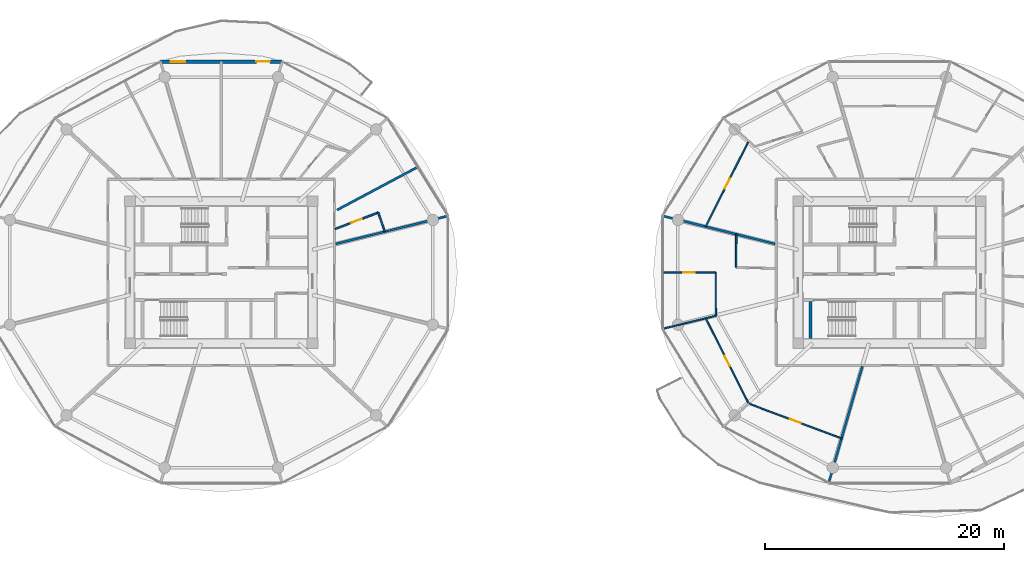
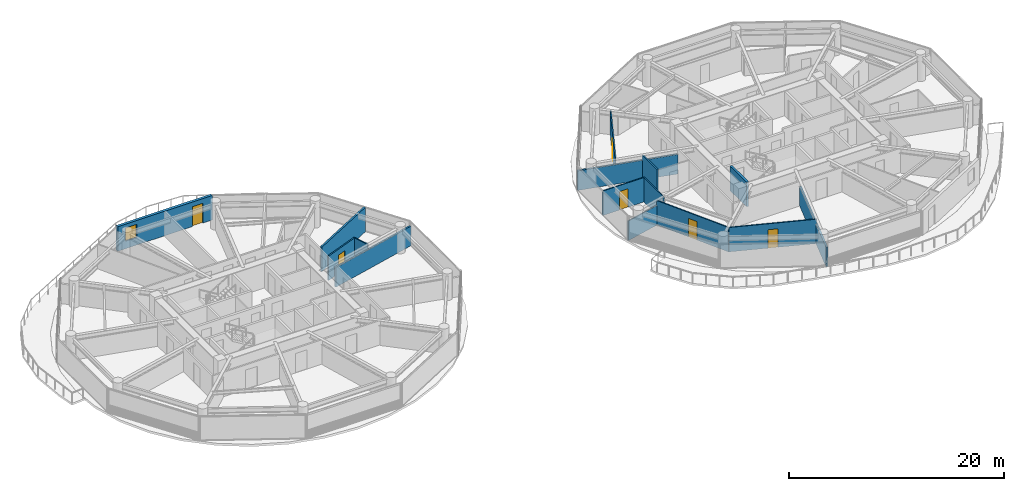
# One storey, part 17 of 26: 15 walls, 6 doors, 1 window, 7 openings.
"""IFC4 building model written with IfcOpenShell, lengths in metres."""

from ifc_helpers import new_model, si_unit, direction, frame, frame_2d, origin, place, context, subcontext, project, spatial, rectangle, extrude, source, transform, mapped, material, layer, layer_set, type_object, type_shapes, element, fill, save


model = new_model("IFC4")

# Units and contexts
model_context = context("Model", 3, precision=1e-05, world=origin(), true_north=direction((0.0, 1.0)))
body_context = subcontext(model_context, "Body", "Model", "MODEL_VIEW")
ifc_project = project(units=[si_unit("LENGTHUNIT", "METRE"), si_unit("AREAUNIT", "SQUARE_METRE"), si_unit("VOLUMEUNIT", "CUBIC_METRE"), si_unit("PLANEANGLEUNIT", "RADIAN"), si_unit("MASSUNIT", "GRAM", prefix="KILO")], contexts=[model_context])

# Site, building, storey
site_placement = place(None, origin())
site = spatial("IfcSite", under=ifc_project, at=site_placement, CompositionType="ELEMENT")
building_placement = place(site_placement, origin())
building = spatial("IfcBuilding", under=site, at=building_placement, Name="Norrkilde Senior Care Towers", CompositionType="ELEMENT")
storey_placement = place(building_placement, frame((0.0, 0.0, 24.64990234375)))
storey = spatial("IfcBuildingStorey", under=building, at=storey_placement, Name="L06", CompositionType="ELEMENT", Elevation=24.64990234375)

# Wall, openings, door, window
ifc_material_1 = material(Name="Precast concrete C45/55", Category="concrete")
ifc_layer_1 = layer(ifc_material_1, 0.2900390625)
ifc_layer_set_1 = layer_set([ifc_layer_1], Name="Precast concrete C45/55")
wall_type_1 = type_object("IfcWallType", Name="Winter Garden Facade Wall 290", PredefinedType="SOLIDWALL", material=ifc_layer_set_1)
shared_shape_1 = source(origin(), body_context, "Body", "SweptSolid", [
    extrude(rectangle(XDim=10.18701171875, YDim=0.2900390625, at=frame_2d((5.093505859375, 0.0))), origin(), (0.0, 0.0, 1.0), 2.7900390625),
])
type_shapes(wall_type_1, [shared_shape_1])
wall_1_placement = place(storey_placement, frame((-33.093505859375, 17.6572265625, 0.0), z_axis=(0.0, 0.0, 1.0), x_axis=(1.0, 0.0, 0.0)))
wall_1 = element("IfcWall", 1, at=wall_1_placement, inside=storey, type_object=wall_type_1, Name="L06 Drum W Balcony Access Wall 02", PredefinedType="SOLIDWALL", context=body_context, shape_type="MappedRepresentation", body=[
    mapped(shared_shape_1, transform((0.0, 0.0, 0.0), x_axis=(1.0, 0.0, 0.0), y_axis=(0.0, 1.0, 0.0), z_axis=(0.0, 0.0, 1.0), scale=1.0)),
])
opening_1_placement = place(wall_1_placement, frame((8.02001953125, 0.0, 0.0)))
opening_1 = element("IfcOpeningElement", 2, at=opening_1_placement, cuts=wall_1, Name="Opening D-09", PredefinedType="OPENING", context=body_context, shape_type="SweptSolid", body=[
    extrude(rectangle(XDim=1.14990234375, YDim=2.25, at=frame_2d((0.574951171875, 1.125))), frame((0.0, 0.155029296875, 0.0), z_axis=(0.0, -1.0, 0.0), x_axis=(1.0, 0.0, 0.0)), (0.0, 0.0, 1.0), 0.31005859375),
])
opening_2_placement = place(wall_1_placement, frame((0.85009765625, 0.0, 0.85009765625)))
opening_2 = element("IfcOpeningElement", 3, at=opening_2_placement, cuts=wall_1, Name="Opening WN-07", PredefinedType="OPENING", context=body_context, shape_type="SweptSolid", body=[
    extrude(rectangle(XDim=1.199951171875, YDim=1.5, at=frame_2d((0.60009765625, 0.75))), frame((0.0, 0.155029296875, 0.0), z_axis=(0.0, -1.0, 0.0), x_axis=(1.0, 0.0, 0.0)), (0.0, 0.0, 1.0), 0.31005859375),
])
ifc_material_2 = material(Name="Anodised Aluminium", Category="aluminium")
door_type_1 = type_object("IfcDoorType", Name="Terrace and Balcony Glazed Door 1150x2250", OperationType="NOTDEFINED", PredefinedType="DOOR", material=ifc_material_2)
shared_shape_2 = source(origin(), body_context, "Body", "SweptSolid", [
    extrude(rectangle(XDim=1.14990234375, YDim=2.25, at=frame_2d((0.574951171875, 1.125))), frame((0.0, 0.02490234375, 0.0), z_axis=(0.0, -1.0, 0.0), x_axis=(1.0, 0.0, 0.0)), (0.0, 0.0, 1.0), 0.050048828125),
])
type_shapes(door_type_1, [shared_shape_2])
door_1_placement = place(opening_1_placement, origin())
door_1 = element("IfcDoor", 4, at=door_1_placement, inside=storey, type_object=door_type_1, Name="L06 Drum W Outdoor Terrace Door 02", OperationType="SINGLE_SWING_LEFT", OverallHeight=2.25, OverallWidth=1.14990234375, PredefinedType="DOOR", context=body_context, shape_type="MappedRepresentation", body=[
    mapped(shared_shape_2, transform((0.0, 0.0, 0.0), x_axis=(1.0, 0.0, 0.0), y_axis=(0.0, 1.0, 0.0), z_axis=(0.0, 0.0, 1.0), scale=1.0)),
])
fill(opening_1, door_1)
ifc_material_3 = material(Name="Triple Low-E Insulated Glazing", Category="glass")
window_type = type_object("IfcWindowType", Name="Stairwell Smoke Vent Window 1200x1500", PartitioningType="SINGLE_PANEL", PredefinedType="WINDOW", material=ifc_material_3)
shared_shape_3 = source(origin(), body_context, "Body", "SweptSolid", [
    extrude(rectangle(XDim=1.199951171875, YDim=1.5, at=frame_2d((0.60009765625, 0.75))), frame((0.0, 0.030029296875, 0.0), z_axis=(0.0, -1.0, 0.0), x_axis=(1.0, 0.0, 0.0)), (0.0, 0.0, 1.0), 0.06005859375),
])
type_shapes(window_type, [shared_shape_3])
window_placement = place(opening_2_placement, origin())
window = element("IfcWindow", 5, at=window_placement, inside=storey, type_object=window_type, Name="L06 Drum W Winter Garden Window 02", OverallHeight=1.5, OverallWidth=1.199951171875, PartitioningType="SINGLE_PANEL", PredefinedType="WINDOW", context=body_context, shape_type="MappedRepresentation", body=[
    mapped(shared_shape_3, transform((0.0, 0.0, 0.0), x_axis=(1.0, 0.0, 0.0), y_axis=(0.0, 1.0, 0.0), z_axis=(0.0, 0.0, 1.0), scale=1.0)),
])
fill(opening_2, window)

# Walls
ifc_material_4 = material(Name="Concrete C45/55", Category="concrete")
ifc_layer_2 = layer(ifc_material_4, 0.239990234375)
ifc_layer_set_2 = layer_set([ifc_layer_2], Name="Concrete C45/55")
wall_type_2 = type_object("IfcWallType", Name="Shaft and Stair Enclosure Wall 240", PredefinedType="PARTITIONING", material=ifc_layer_set_2)
shared_shape_4 = source(origin(), body_context, "Body", "SweptSolid", [
    extrude(rectangle(XDim=3.074951171875, YDim=0.239990234375, at=frame_2d((1.53759765625, 0.0))), origin(), (0.0, 0.0, 1.0), 2.7900390625),
])
type_shapes(wall_type_2, [shared_shape_4])
wall_2_placement = place(storey_placement, frame((21.3798828125, -5.52490234375, 0.0), z_axis=(0.0, 0.0, 1.0), x_axis=(0.0, 1.0, 0.0)))
element("IfcWall", 6, at=wall_2_placement, inside=storey, type_object=wall_type_2, Name="WL-INT-L06-E-ST2W", PredefinedType="PARTITIONING", context=body_context, shape_type="MappedRepresentation", body=[
    mapped(shared_shape_4, transform((0.0, 0.0, 0.0), x_axis=(1.0, 0.0, 0.0), y_axis=(0.0, 1.0, 0.0), z_axis=(0.0, 0.0, 1.0), scale=1.0)),
])
ifc_material_5 = material(Name="Gypsum Acoustic Board")
ifc_layer_3 = layer(ifc_material_5, 0.18994140625)
ifc_layer_set_3 = layer_set([ifc_layer_3], Name="Gypsum Acoustic Board")
wall_type_3 = type_object("IfcWallType", Name="Unit Demising Acoustic Wall 190", PredefinedType="PARTITIONING", material=ifc_layer_set_3)
shared_shape_5 = source(origin(), body_context, "Body", "SweptSolid", [
    extrude(rectangle(XDim=10.196044921875, YDim=0.18994140625, at=frame_2d((5.09814453125, 0.0))), origin(), (0.0, 0.0, 1.0), 2.22509765625),
])
wall_3_placement = place(storey_placement, frame((25.72705078125, -7.8798828125, 0.0), z_axis=(0.0, 0.0, 1.0), x_axis=(-0.277136420347, -0.960830580549, 0.0)))
element("IfcWall", 7, at=wall_3_placement, inside=storey, type_object=wall_type_3, Name="WL-INT-L06-E-DEM-08-0", PredefinedType="PARTITIONING", context=body_context, shape_type="MappedRepresentation", body=[
    mapped(shared_shape_5, transform((0.0, 0.0, 0.0), x_axis=(1.0, 0.0, 0.0), y_axis=(0.0, 1.0, 0.0), z_axis=(0.0, 0.0, 1.0), scale=1.0)),
])
shared_shape_6 = source(origin(), body_context, "Body", "SweptSolid", [
    extrude(rectangle(XDim=9.737060546875, YDim=0.18994140625, at=frame_2d((4.86865234375, 0.0))), origin(), (0.0, 0.0, 1.0), 2.22509765625),
])
for number, where, z_axis, x_axis, name in (
    (8, (-18.419921875, 2.384521484375, 0.0), (0.0, 0.0, 1.0), (0.970392716238, 0.241532557375, 0.0), "WL-INT-L06-W-DEM-00-0"),
    (9, (18.419921875, 2.384521484375, 0.0), (0.0, 0.0, 1.0), (-0.970392716238, 0.241532557375, 0.0), "WL-INT-L06-E-DEM-05-0"),
):
    element("IfcWall", number, at=place(storey_placement, frame(where, z_axis=z_axis, x_axis=x_axis)), inside=storey, type_object=wall_type_3, Name=name, PredefinedType="PARTITIONING", context=body_context, shape_type="MappedRepresentation", body=[
        mapped(shared_shape_6, transform((0.0, 0.0, 0.0), x_axis=(1.0, 0.0, 0.0), y_axis=(0.0, 1.0, 0.0), z_axis=(0.0, 0.0, 1.0), scale=1.0)),
    ])
shared_shape_7 = source(origin(), body_context, "Body", "SweptSolid", [
    extrude(rectangle(XDim=7.6767578125, YDim=0.18994140625, at=frame_2d((3.83837890625, 0.0))), origin(), (0.0, 0.0, 1.0), 2.775146484375),
])
type_shapes(wall_type_3, [shared_shape_5, shared_shape_6, shared_shape_7])
wall_4_placement = place(storey_placement, frame((-18.296875, 5.23095703125, 0.0), z_axis=(0.0, 0.0, 1.0), x_axis=(0.882725057546, 0.469889851753, 0.0)))
element("IfcWall", 10, at=wall_4_placement, inside=storey, type_object=wall_type_3, Name="WL-INT-L06-W-CMID-00", PredefinedType="PARTITIONING", context=body_context, shape_type="MappedRepresentation", body=[
    mapped(shared_shape_7, transform((0.0, 0.0, 0.0), x_axis=(1.0, 0.0, 0.0), y_axis=(0.0, 1.0, 0.0), z_axis=(0.0, 0.0, 1.0), scale=1.0)),
])

# Wall, opening, door
ifc_layer_4 = layer(ifc_material_5, 0.139892578125)
ifc_layer_set_4 = layer_set([ifc_layer_4], Name="Gypsum Acoustic Board")
wall_type_4 = type_object("IfcWallType", Name="En-suite Wet Room Wall 140", PredefinedType="PARTITIONING", material=ifc_layer_set_4)
shared_shape_8 = source(origin(), body_context, "Body", "SweptSolid", [
    extrude(rectangle(XDim=3.8740234375, YDim=0.139892578125, at=frame_2d((1.93701171875, 0.0))), origin(), (0.0, 0.0, 1.0), 2.775146484375),
])
wall_5_placement = place(storey_placement, frame((-18.469970703125, 3.631591796875, 0.0), z_axis=(0.0, 0.0, 1.0), x_axis=(0.934461775659, 0.35606346321, 0.0)))
wall_5 = element("IfcWall", 11, at=wall_5_placement, inside=storey, type_object=wall_type_4, Name="WL-INT-L06-W-ES-00A", PredefinedType="PARTITIONING", context=body_context, shape_type="MappedRepresentation", body=[
    mapped(shared_shape_8, transform((0.0, 0.0, 0.0), x_axis=(1.0, 0.0, 0.0), y_axis=(0.0, 1.0, 0.0), z_axis=(0.0, 0.0, 1.0), scale=1.0)),
])
opening_3_placement = place(wall_5_placement, frame((1.47705078125, 0.0, 0.0)))
opening_3 = element("IfcOpeningElement", 12, at=opening_3_placement, cuts=wall_5, Name="Opening D-08", PredefinedType="OPENING", context=body_context, shape_type="SweptSolid", body=[
    extrude(rectangle(XDim=0.919921875, YDim=2.10009765625, at=frame_2d((0.4599609375, 1.050048828125))), frame((0.0, 0.079833984375, 0.0), z_axis=(0.0, -1.0, 0.0), x_axis=(1.0, 0.0, 0.0)), (0.0, 0.0, 1.0), 0.159912109375),
])
ifc_material_6 = material(Name="Nordic Ash Timber", Category="wood")
door_type_2 = type_object("IfcDoorType", Name="Accessible Wet Room Door 920x2100", OperationType="NOTDEFINED", PredefinedType="DOOR", material=ifc_material_6)
shared_shape_9 = source(origin(), body_context, "Body", "SweptSolid", [
    extrude(rectangle(XDim=0.919921875, YDim=2.10009765625, at=frame_2d((0.4599609375, 1.050048828125))), frame((0.0, 0.02490234375, 0.0), z_axis=(0.0, -1.0, 0.0), x_axis=(1.0, 0.0, 0.0)), (0.0, 0.0, 1.0), 0.050048828125),
])
type_shapes(door_type_2, [shared_shape_9])
door_2_placement = place(opening_3_placement, origin())
door_2 = element("IfcDoor", 13, at=door_2_placement, inside=storey, type_object=door_type_2, Name="L06 Care Suite 0600A Bathroom Door", OperationType="SINGLE_SWING_LEFT", OverallHeight=2.10009765625, OverallWidth=0.919921875, PredefinedType="DOOR", context=body_context, shape_type="MappedRepresentation", body=[
    mapped(shared_shape_9, transform((0.0, 0.0, 0.0), x_axis=(1.0, 0.0, 0.0), y_axis=(0.0, 1.0, 0.0), z_axis=(0.0, 0.0, 1.0), scale=1.0)),
])
fill(opening_3, door_2)

# Wall
shared_shape_10 = source(origin(), body_context, "Body", "SweptSolid", [
    extrude(rectangle(XDim=1.67578125, YDim=0.139892578125, at=frame_2d((0.837890625, 0.0))), origin(), (0.0, 0.0, 1.0), 2.775146484375),
])
wall_6_placement = place(storey_placement, frame((-14.849853515625, 5.010986328125, 0.0), z_axis=(0.0, 0.0, 1.0), x_axis=(0.327785970556, -0.944752008469, 0.0)))
element("IfcWall", 14, at=wall_6_placement, inside=storey, type_object=wall_type_4, Name="WL-INT-L06-W-EF-00A", PredefinedType="PARTITIONING", context=body_context, shape_type="MappedRepresentation", body=[
    mapped(shared_shape_10, transform((0.0, 0.0, 0.0), x_axis=(1.0, 0.0, 0.0), y_axis=(0.0, 1.0, 0.0), z_axis=(0.0, 0.0, 1.0), scale=1.0)),
])

# Wall, opening, door
ifc_layer_5 = layer(ifc_material_5, 0.114990234375)
ifc_layer_set_5 = layer_set([ifc_layer_5], Name="Gypsum Acoustic Board")
wall_type_5 = type_object("IfcWallType", Name="Internal Room Partition 115", PredefinedType="PARTITIONING", material=ifc_layer_set_5)
shared_shape_11 = source(origin(), body_context, "Body", "SweptSolid", [
    extrude(rectangle(XDim=8.017822265625, YDim=0.114990234375, at=frame_2d((4.0087890625, 0.0))), origin(), (0.0, 0.0, 1.0), 2.775146484375),
])
wall_7_placement = place(storey_placement, frame((16.205078125, 11.013916015625, 0.0), z_axis=(0.0, 0.0, 1.0), x_axis=(-0.450134355233, -0.89296084026, 0.0)))
wall_7 = element("IfcWall", 15, at=wall_7_placement, inside=storey, type_object=wall_type_5, Name="WL-INT-L06-E-UBC-03-1", PredefinedType="PARTITIONING", context=body_context, shape_type="MappedRepresentation", body=[
    mapped(shared_shape_11, transform((0.0, 0.0, 0.0), x_axis=(1.0, 0.0, 0.0), y_axis=(0.0, 1.0, 0.0), z_axis=(0.0, 0.0, 1.0), scale=1.0)),
])
opening_4_placement = place(wall_7_placement, frame((3.533935546875, 0.0, 0.0)))
opening_4 = element("IfcOpeningElement", 16, at=opening_4_placement, cuts=wall_7, Name="Opening D-07", PredefinedType="OPENING", context=body_context, shape_type="SweptSolid", body=[
    extrude(rectangle(XDim=0.949951171875, YDim=2.10009765625, at=frame_2d((0.47509765625, 1.050048828125))), frame((0.0, 0.0673828125, 0.0), z_axis=(0.0, -1.0, 0.0), x_axis=(1.0, 0.0, 0.0)), (0.0, 0.0, 1.0), 0.135009765625),
])
door_type_3 = type_object("IfcDoorType", Name="Internal Suite Bedroom Door 950x2100", OperationType="NOTDEFINED", PredefinedType="DOOR", material=ifc_material_6)
shared_shape_12 = source(origin(), body_context, "Body", "SweptSolid", [
    extrude(rectangle(XDim=0.949951171875, YDim=2.10009765625, at=frame_2d((0.47509765625, 1.050048828125))), frame((0.0, 0.02490234375, 0.0), z_axis=(0.0, -1.0, 0.0), x_axis=(1.0, 0.0, 0.0)), (0.0, 0.0, 1.0), 0.050048828125),
])
type_shapes(door_type_3, [shared_shape_12])
door_3_placement = place(opening_4_placement, origin())
door_3 = element("IfcDoor", 17, at=door_3_placement, inside=storey, type_object=door_type_3, Name="Apartment 06B Bedroom 1 Door", OperationType="SINGLE_SWING_LEFT", OverallHeight=2.10009765625, OverallWidth=0.949951171875, PredefinedType="DOOR", context=body_context, shape_type="MappedRepresentation", body=[
    mapped(shared_shape_12, transform((0.0, 0.0, 0.0), x_axis=(1.0, 0.0, 0.0), y_axis=(0.0, 1.0, 0.0), z_axis=(0.0, 0.0, 1.0), scale=1.0)),
])
fill(opening_4, door_3)

wall_8_placement = place(storey_placement, frame((12.595947265625, -3.854248046875, 0.0), z_axis=(0.0, 0.0, 1.0), x_axis=(0.450134355233, -0.89296084026, 0.0)))
wall_8 = element("IfcWall", 18, at=wall_8_placement, inside=storey, type_object=wall_type_5, Name="WL-INT-L06-E-UBC-05-1", PredefinedType="PARTITIONING", context=body_context, shape_type="MappedRepresentation", body=[
    mapped(shared_shape_11, transform((0.0, 0.0, 0.0), x_axis=(1.0, 0.0, 0.0), y_axis=(0.0, 1.0, 0.0), z_axis=(0.0, 0.0, 1.0), scale=1.0)),
])
opening_5_placement = place(wall_8_placement, frame((3.533935546875, 0.0, 0.0)))
opening_5 = element("IfcOpeningElement", 19, at=opening_5_placement, cuts=wall_8, Name="Opening D-07", PredefinedType="OPENING", context=body_context, shape_type="SweptSolid", body=[
    extrude(rectangle(XDim=0.949951171875, YDim=2.10009765625, at=frame_2d((0.47509765625, 1.050048828125))), frame((0.0, 0.0673828125, 0.0), z_axis=(0.0, -1.0, 0.0), x_axis=(1.0, 0.0, 0.0)), (0.0, 0.0, 1.0), 0.135009765625),
])
door_4_placement = place(opening_5_placement, origin())
door_4 = element("IfcDoor", 20, at=door_4_placement, inside=storey, type_object=door_type_3, Name="Apartment 06C Bedroom 1 Door", OperationType="SINGLE_SWING_LEFT", OverallHeight=2.10009765625, OverallWidth=0.949951171875, PredefinedType="DOOR", context=body_context, shape_type="MappedRepresentation", body=[
    mapped(shared_shape_12, transform((0.0, 0.0, 0.0), x_axis=(1.0, 0.0, 0.0), y_axis=(0.0, 1.0, 0.0), z_axis=(0.0, 0.0, 1.0), scale=1.0)),
])
fill(opening_5, door_4)

# Wall
shared_shape_13 = source(origin(), body_context, "Body", "SweptSolid", [
    extrude(rectangle(XDim=4.609130859375, YDim=0.114990234375, at=frame_2d((2.3046875, 0.0))), origin(), (0.0, 0.0, 1.0), 2.22509765625),
])
wall_9_placement = place(storey_placement, frame((13.4482421875, -3.640869140625, 0.0), z_axis=(0.0, 0.0, 1.0), x_axis=(-0.971345494518, -0.237671896276, 0.0)))
element("IfcWall", 21, at=wall_9_placement, inside=storey, type_object=wall_type_5, Name="WL-INT-L06-E-UBR-05-1", PredefinedType="PARTITIONING", context=body_context, shape_type="MappedRepresentation", body=[
    mapped(shared_shape_13, transform((0.0, 0.0, 0.0), x_axis=(1.0, 0.0, 0.0), y_axis=(0.0, 1.0, 0.0), z_axis=(0.0, 0.0, 1.0), scale=1.0)),
])

# Wall, opening, door
shared_shape_14 = source(origin(), body_context, "Body", "SweptSolid", [
    extrude(rectangle(XDim=8.31982421875, YDim=0.114990234375, at=frame_2d((4.159912109375, 0.0))), origin(), (0.0, 0.0, 1.0), 2.775146484375),
])
wall_10_placement = place(storey_placement, frame((16.2138671875, -11.005615234375, 0.0), z_axis=(0.0, 0.0, 1.0), x_axis=(0.936180763098, -0.351518959382, 0.0)))
wall_10 = element("IfcWall", 22, at=wall_10_placement, inside=storey, type_object=wall_type_5, Name="WL-INT-L06-E-UBC-05-2", PredefinedType="PARTITIONING", context=body_context, shape_type="MappedRepresentation", body=[
    mapped(shared_shape_14, transform((0.0, 0.0, 0.0), x_axis=(1.0, 0.0, 0.0), y_axis=(0.0, 1.0, 0.0), z_axis=(0.0, 0.0, 1.0), scale=1.0)),
])
opening_6_placement = place(wall_10_placement, frame((3.684814453125, 0.0, 0.0)))
opening_6 = element("IfcOpeningElement", 23, at=opening_6_placement, cuts=wall_10, Name="Opening D-07", PredefinedType="OPENING", context=body_context, shape_type="SweptSolid", body=[
    extrude(rectangle(XDim=0.949951171875, YDim=2.10009765625, at=frame_2d((0.47509765625, 1.050048828125))), frame((0.0, 0.0673828125, 0.0), z_axis=(0.0, -1.0, 0.0), x_axis=(1.0, 0.0, 0.0)), (0.0, 0.0, 1.0), 0.135009765625),
])
door_5_placement = place(opening_6_placement, frame((0.949951171875, 0.0, 0.0), z_axis=(0.0, 0.0, 1.0), x_axis=(-1.0, 0.0, 0.0)))
door_5 = element("IfcDoor", 24, at=door_5_placement, inside=storey, type_object=door_type_3, Name="Apartment 06C Bedroom 2 Door", OperationType="SINGLE_SWING_RIGHT", OverallHeight=2.10009765625, OverallWidth=0.949951171875, PredefinedType="DOOR", context=body_context, shape_type="MappedRepresentation", body=[
    mapped(shared_shape_12, transform((0.0, 0.0, 0.0), x_axis=(1.0, 0.0, 0.0), y_axis=(0.0, 1.0, 0.0), z_axis=(0.0, 0.0, 1.0), scale=1.0)),
])
fill(opening_6, door_5)

# Wall
shared_shape_15 = source(origin(), body_context, "Body", "SweptSolid", [
    extrude(rectangle(XDim=2.795166015625, YDim=0.139892578125, at=frame_2d((1.3974609375, 0.0))), origin(), (0.0, 0.0, 1.0), 2.775146484375),
])
type_shapes(wall_type_4, [shared_shape_8, shared_shape_10, shared_shape_15])
wall_11_placement = place(storey_placement, frame((15.148193359375, 0.419189453125, 0.0), z_axis=(0.0, 0.0, 1.0), x_axis=(0.001659531299, 0.999998622977, 0.0)))
element("IfcWall", 25, at=wall_11_placement, inside=storey, type_object=wall_type_4, Name="WL-INT-L06-E-UBTF-05", PredefinedType="PARTITIONING", context=body_context, shape_type="MappedRepresentation", body=[
    mapped(shared_shape_15, transform((0.0, 0.0, 0.0), x_axis=(1.0, 0.0, 0.0), y_axis=(0.0, 1.0, 0.0), z_axis=(0.0, 0.0, 1.0), scale=1.0)),
])

# Wall, opening, door
shared_shape_16 = source(origin(), body_context, "Body", "SweptSolid", [
    extrude(rectangle(XDim=4.46875, YDim=0.114990234375, at=frame_2d((2.234375, 0.0))), origin(), (0.0, 0.0, 1.0), 2.775146484375),
])
wall_12_placement = place(storey_placement, frame((13.43994140625, 0.0, 0.0), z_axis=(0.0, 0.0, 1.0), x_axis=(-1.0, 0.0, 0.0)))
wall_12 = element("IfcWall", 26, at=wall_12_placement, inside=storey, type_object=wall_type_5, Name="WL-INT-L06-E-UKTS-05", PredefinedType="PARTITIONING", context=body_context, shape_type="MappedRepresentation", body=[
    mapped(shared_shape_16, transform((0.0, 0.0, 0.0), x_axis=(1.0, 0.0, 0.0), y_axis=(0.0, 1.0, 0.0), z_axis=(0.0, 0.0, 1.0), scale=1.0)),
])
opening_7_placement = place(wall_12_placement, frame((1.75927734375, 0.0, 0.0)))
opening_7 = element("IfcOpeningElement", 27, at=opening_7_placement, cuts=wall_12, Name="Opening D-07", PredefinedType="OPENING", context=body_context, shape_type="SweptSolid", body=[
    extrude(rectangle(XDim=0.949951171875, YDim=2.10009765625, at=frame_2d((0.47509765625, 1.050048828125))), frame((0.0, 0.0673828125, 0.0), z_axis=(0.0, -1.0, 0.0), x_axis=(1.0, 0.0, 0.0)), (0.0, 0.0, 1.0), 0.135009765625),
])
door_6_placement = place(opening_7_placement, frame((0.949951171875, 0.0, 0.0), z_axis=(0.0, 0.0, 1.0), x_axis=(-1.0, 0.0, 0.0)))
door_6 = element("IfcDoor", 28, at=door_6_placement, inside=storey, type_object=door_type_3, Name="Apartment 06C Kitchen Door", OperationType="SINGLE_SWING_RIGHT", OverallHeight=2.10009765625, OverallWidth=0.949951171875, PredefinedType="DOOR", context=body_context, shape_type="MappedRepresentation", body=[
    mapped(shared_shape_12, transform((0.0, 0.0, 0.0), x_axis=(1.0, 0.0, 0.0), y_axis=(0.0, 1.0, 0.0), z_axis=(0.0, 0.0, 1.0), scale=1.0)),
])
fill(opening_7, door_6)

# Wall
shared_shape_17 = source(origin(), body_context, "Body", "SweptSolid", [
    extrude(rectangle(XDim=3.641357421875, YDim=0.114990234375, at=frame_2d((1.82080078125, 0.0))), origin(), (0.0, 0.0, 1.0), 2.775146484375),
])
type_shapes(wall_type_5, [shared_shape_11, shared_shape_13, shared_shape_14, shared_shape_16, shared_shape_17])
wall_13_placement = place(storey_placement, frame((13.43994140625, 0.0, 0.0), z_axis=(0.0, 0.0, 1.0), x_axis=(0.001877301419, -0.999998237868, 0.0)))
element("IfcWall", 29, at=wall_13_placement, inside=storey, type_object=wall_type_5, Name="WL-INT-L06-E-UKTF-05", PredefinedType="PARTITIONING", context=body_context, shape_type="MappedRepresentation", body=[
    mapped(shared_shape_17, transform((0.0, 0.0, 0.0), x_axis=(1.0, 0.0, 0.0), y_axis=(0.0, 1.0, 0.0), z_axis=(0.0, 0.0, 1.0), scale=1.0)),
])

save(model, "model.ifc")
